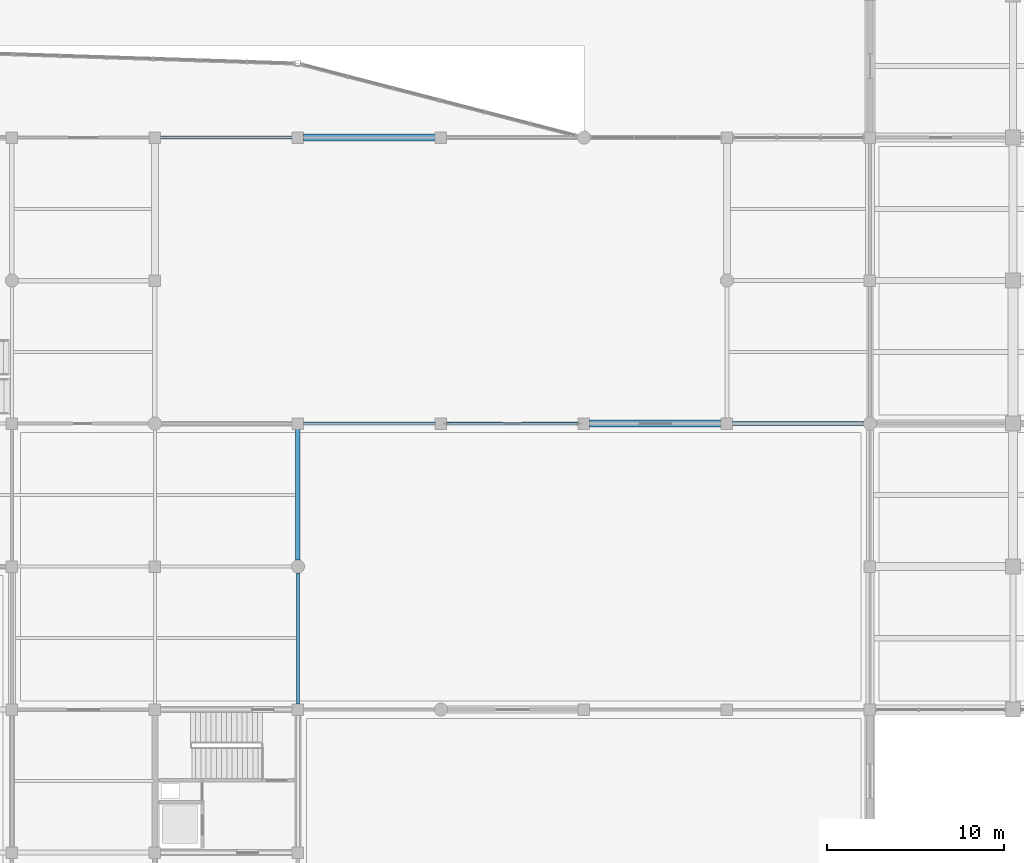
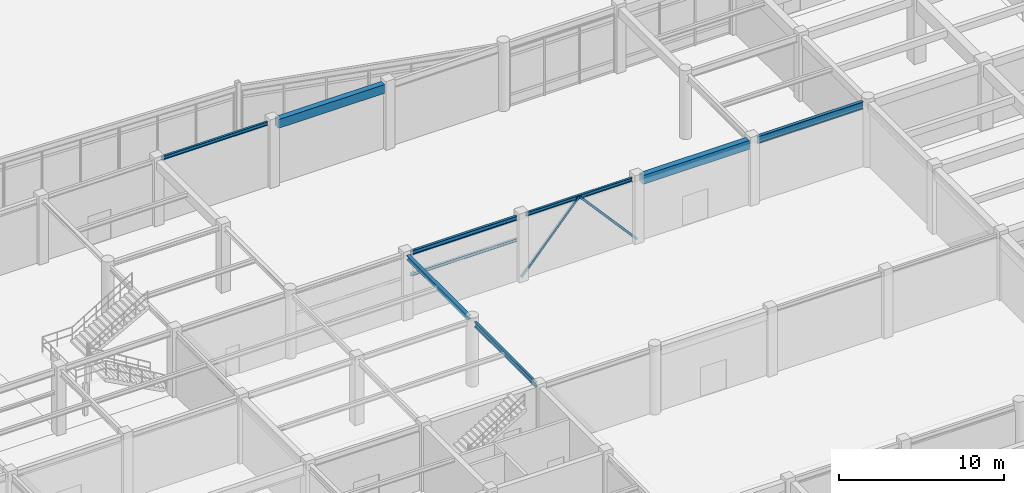
# One storey, part 29 of 99: 9 beams, 2 members.
"""IFC4 building model written with IfcOpenShell, lengths in metres."""

from ifc_helpers import new_model, si_unit, direction, frame, origin, origin_2d, place, context, subcontext, project, spatial, rectangle, hollow_rectangle, i_section, extrude, material, material_profile, profile_set, type_object, element, save


model = new_model("IFC4")

# Units and contexts
model_context = context("Model", 3, precision=1e-05, world=origin(), true_north=direction((0.0, 1.0)))
body_context = subcontext(model_context, "Body", "Model", "MODEL_VIEW")
ifc_project = project(units=[si_unit("LENGTHUNIT", "METRE"), si_unit("AREAUNIT", "SQUARE_METRE"), si_unit("VOLUMEUNIT", "CUBIC_METRE"), si_unit("PLANEANGLEUNIT", "RADIAN"), si_unit("MASSUNIT", "GRAM", prefix="KILO")], contexts=[model_context])

# Site, building, storey
site_placement = place(None, origin())
site = spatial("IfcSite", under=ifc_project, at=site_placement, CompositionType="ELEMENT")
building_placement = place(site_placement, origin())
building = spatial("IfcBuilding", under=site, at=building_placement, Name="Vaudrelin Polytechnic", CompositionType="ELEMENT")
storey_placement = place(building_placement, origin())
storey = spatial("IfcBuildingStorey", under=building, at=storey_placement, Name="L00", CompositionType="ELEMENT", Elevation=0.0)

# Beams
ifc_material_1 = material(Name="Steel CSA G40.21 350W", Category="steel")
ifc_material_profile_1 = material_profile(ifc_material_1, i_section(OverallWidth=0.214111328125, OverallDepth=0.549072265625, WebThickness=0.0146484375, FlangeThickness=0.023681640625, FilletRadius=0.01904296875, at=origin_2d()), Name="W530x138")
ifc_profile_set_1 = profile_set([ifc_material_profile_1], Name="Steel CSA G40.21 350W")
beam_type_1 = type_object("IfcBeamType", Name="BM-BM-W530H", PredefinedType="BEAM", material=ifc_profile_set_1)
beam_1_placement = place(storey_placement, frame((121.821044921875, 32.39990234375, 4.54541015625), z_axis=(1.0, 0.0, 0.0), x_axis=(0.0, 1.0, 0.0)))
element("IfcBeam", 1, at=beam_1_placement, inside=storey, type_object=beam_type_1, Name="L00 X-beam 16-5", PredefinedType="BEAM", context=body_context, shape_type="SweptSolid", body=[
    extrude(i_section(OverallWidth=0.214111328125, OverallDepth=0.549072265625, WebThickness=0.0146484375, FlangeThickness=0.023681640625, FilletRadius=0.01904296875, at=origin_2d()), origin(), (0.0, 0.0, 1.0), 7.407958984375),
])
ifc_material_profile_2 = material_profile(ifc_material_1, i_section(OverallWidth=0.14794921875, OverallDepth=0.26611328125, WebThickness=0.007568359375, FlangeThickness=0.012939453125, FilletRadius=0.012939453125, at=origin_2d()), Name="W250x45")
ifc_profile_set_2 = profile_set([ifc_material_profile_2], Name="Steel CSA G40.21 350W")
beam_type_2 = type_object("IfcBeamType", Name="BM-JS-W250", PredefinedType="JOIST", material=ifc_profile_set_2)
for number, where, z_axis, x_axis, name in (
    (2, (89.4208984375, 48.60009765625, 4.68701171875), (1.0, 0.0, 0.0), (0.0, 1.0, 0.0), "L00 X-beam 12-7"),
    (3, (105.62109375, 32.39990234375, 4.68701171875), (1.0, 0.0, 0.0), (0.0, 1.0, 0.0), "L00 X-beam 14-5"),
):
    element("IfcBeam", number, at=place(storey_placement, frame(where, z_axis=z_axis, x_axis=x_axis)), inside=storey, type_object=beam_type_2, Name=name, PredefinedType="JOIST", context=body_context, shape_type="SweptSolid", body=[
        extrude(i_section(OverallWidth=0.14794921875, OverallDepth=0.26611328125, WebThickness=0.007568359375, FlangeThickness=0.012939453125, FilletRadius=0.012939453125, at=origin_2d()), origin(), (0.0, 0.0, 1.0), 7.4580078125),
    ])
ifc_material_profile_3 = material_profile(ifc_material_1, i_section(OverallWidth=0.1669921875, OverallDepth=0.31689453125, WebThickness=0.007568359375, FlangeThickness=0.01318359375, FilletRadius=0.013916015625, at=origin_2d()), Name="W310x52")
ifc_profile_set_3 = profile_set([ifc_material_profile_3], Name="Steel CSA G40.21 350W")
beam_type_3 = type_object("IfcBeamType", Name="BM-JS-W310", PredefinedType="JOIST", material=ifc_profile_set_3)
beam_2_placement = place(storey_placement, frame((97.52099609375, 32.39990234375, 4.66162109375), z_axis=(1.0, 0.0, 0.0), x_axis=(0.0, 1.0, 0.0)))
element("IfcBeam", 4, at=beam_2_placement, inside=storey, type_object=beam_type_3, Name="L00 X-beam 13-5", PredefinedType="JOIST", context=body_context, shape_type="SweptSolid", body=[
    extrude(i_section(OverallWidth=0.1669921875, OverallDepth=0.31689453125, WebThickness=0.007568359375, FlangeThickness=0.01318359375, FilletRadius=0.013916015625, at=origin_2d()), origin(), (0.0, 0.0, 1.0), 7.4580078125),
])
ifc_material_2 = material(Name="Steel CSA G40.21 350WT", Category="steel")
ifc_material_profile_4 = material_profile(ifc_material_2, i_section(OverallWidth=0.25390625, OverallDepth=0.305908203125, WebThickness=0.0087890625, FlangeThickness=0.0146484375, FilletRadius=0.01611328125, at=origin_2d()), Name="W310x79")
ifc_profile_set_4 = profile_set([ifc_material_profile_4], Name="Steel CSA G40.21 350WT")
beam_type_4 = type_object("IfcBeamType", Name="BM-JS-W310H", PredefinedType="SPANDREL", material=ifc_profile_set_4)
beam_3_placement = place(storey_placement, frame((97.199951171875, 24.659912109375, 4.6669921875), z_axis=(0.0, 1.0, 0.0), x_axis=(-1.0, 0.0, 0.0)))
element("IfcBeam", 5, at=beam_3_placement, inside=storey, type_object=beam_type_4, Name="L00 Y-beam 13-4", PredefinedType="SPANDREL", context=body_context, shape_type="SweptSolid", body=[
    extrude(i_section(OverallWidth=0.25390625, OverallDepth=0.305908203125, WebThickness=0.0087890625, FlangeThickness=0.0146484375, FilletRadius=0.01611328125, at=origin_2d()), origin(), (0.0, 0.0, 1.0), 7.43017578125),
])
ifc_material_profile_5 = material_profile(ifc_material_1, i_section(OverallWidth=0.172119140625, OverallDepth=0.35791015625, WebThickness=0.0078125, FlangeThickness=0.01318359375, FilletRadius=0.014892578125, at=origin_2d()), Name="W360x57")
ifc_profile_set_5 = profile_set([ifc_material_profile_5], Name="Steel CSA G40.21 350W")
beam_type_5 = type_object("IfcBeamType", Name="BM-JS-W360", PredefinedType="JOIST", material=ifc_profile_set_5)
beam_4_placement = place(storey_placement, frame((97.199951171875, 16.510009765625, 4.64111328125), z_axis=(0.0, 1.0, 0.0), x_axis=(-1.0, 0.0, 0.0)))
element("IfcBeam", 6, at=beam_4_placement, inside=storey, type_object=beam_type_5, Name="L00 Y-beam 13-3", PredefinedType="JOIST", context=body_context, shape_type="SweptSolid", body=[
    extrude(i_section(OverallWidth=0.172119140625, OverallDepth=0.35791015625, WebThickness=0.0078125, FlangeThickness=0.01318359375, FilletRadius=0.014892578125, at=origin_2d()), origin(), (0.0, 0.0, 1.0), 7.429931640625),
])
ifc_material_profile_6 = material_profile(ifc_material_1, i_section(OverallWidth=0.1650390625, OverallDepth=0.200927734375, WebThickness=0.006103515625, FlangeThickness=0.01025390625, FilletRadius=0.010986328125, at=origin_2d()), Name="W200x36")
ifc_profile_set_6 = profile_set([ifc_material_profile_6], Name="Steel CSA G40.21 350W")
beam_type_6 = type_object("IfcBeamType", Name="BM-LN-W200", PredefinedType="LINTEL", material=ifc_profile_set_6)
beam_5_placement = place(storey_placement, frame((97.52099609375, 32.39990234375, 3.050048828125), z_axis=(1.0, 0.0, 0.0), x_axis=(0.0, 1.0, 0.0)))
element("IfcBeam", 7, at=beam_5_placement, inside=storey, type_object=beam_type_6, Name="Portal opening lintel LN-08", PredefinedType="LINTEL", context=body_context, shape_type="SweptSolid", body=[
    extrude(i_section(OverallWidth=0.1650390625, OverallDepth=0.200927734375, WebThickness=0.006103515625, FlangeThickness=0.01025390625, FilletRadius=0.010986328125, at=origin_2d()), origin(), (0.0, 0.0, 1.0), 7.4580078125),
])
ifc_material_3 = material(Name="Concrete 40 MPa", Category="concrete")
ifc_material_profile_7 = material_profile(ifc_material_3, rectangle(XDim=0.39990234375, YDim=0.64990234375, at=origin_2d()), Name="RC400x650")
ifc_profile_set_7 = profile_set([ifc_material_profile_7], Name="Concrete 40 MPa")
beam_type_7 = type_object("IfcBeamType", Name="BM-SP-RC4065", PredefinedType="SPANDREL", material=ifc_profile_set_7)
for number, where, z_axis, x_axis, name in (
    (8, (97.52099609375, 48.60009765625, 4.4951171875), (1.0, 0.0, 0.0), (0.0, 1.0, 0.0), "L00 X-beam 13-7"),
    (9, (113.720947265625, 32.39990234375, 4.4951171875), (1.0, 0.0, 0.0), (0.0, 1.0, 0.0), "L00 X-beam 15-5"),
):
    element("IfcBeam", number, at=place(storey_placement, frame(where, z_axis=z_axis, x_axis=x_axis)), inside=storey, type_object=beam_type_7, Name=name, PredefinedType="SPANDREL", context=body_context, shape_type="SweptSolid", body=[
        extrude(rectangle(XDim=0.39990234375, YDim=0.64990234375, at=origin_2d()), origin(), (0.0, 0.0, 1.0), 7.4580078125),
    ])

# Members
ifc_material_profile_8 = material_profile(ifc_material_1, hollow_rectangle(XDim=0.152099609375, YDim=0.152099609375, WallThickness=0.008056640625, InnerFilletRadius=0.008056640625, OuterFilletRadius=0.01611328125, at=origin_2d()), Name="HSS152x152x8.0")
ifc_profile_set_8 = profile_set([ifc_material_profile_8], Name="Steel CSA G40.21 350W")
member_type = type_object("IfcMemberType", Name="MEM-BF-D01", PredefinedType="BRACE", material=ifc_profile_set_8)
member_1_placement = place(storey_placement, frame((105.300048828125, 32.39990234375, 0.14990234375), z_axis=(0.662113882056, 0.0, 0.74940323404), x_axis=(0.0, 1.0, 0.0)))
element("IfcMember", 10, at=member_1_placement, inside=storey, type_object=member_type, Name="Chevron brace BF-07A", PredefinedType="BRACE", context=body_context, shape_type="SweptSolid", body=[
    extrude(hollow_rectangle(XDim=0.152099609375, YDim=0.152099609375, WallThickness=0.008056640625, InnerFilletRadius=0.008056640625, OuterFilletRadius=0.01611328125, at=origin_2d()), origin(), (0.0, 0.0, 1.0), 6.116943359375),
])
member_2_placement = place(storey_placement, frame((113.39990234375, 32.39990234375, 0.14990234375), z_axis=(-0.662091465916, 0.0, 0.749423038584), x_axis=(0.0, -1.0, 0.0)))
element("IfcMember", 11, at=member_2_placement, inside=storey, type_object=member_type, Name="Chevron brace BF-07B", PredefinedType="BRACE", context=body_context, shape_type="SweptSolid", body=[
    extrude(hollow_rectangle(XDim=0.152099609375, YDim=0.152099609375, WallThickness=0.008056640625, InnerFilletRadius=0.008056640625, OuterFilletRadius=0.01611328125, at=origin_2d()), origin(), (0.0, 0.0, 1.0), 6.11669921875),
])

save(model, "model.ifc")
